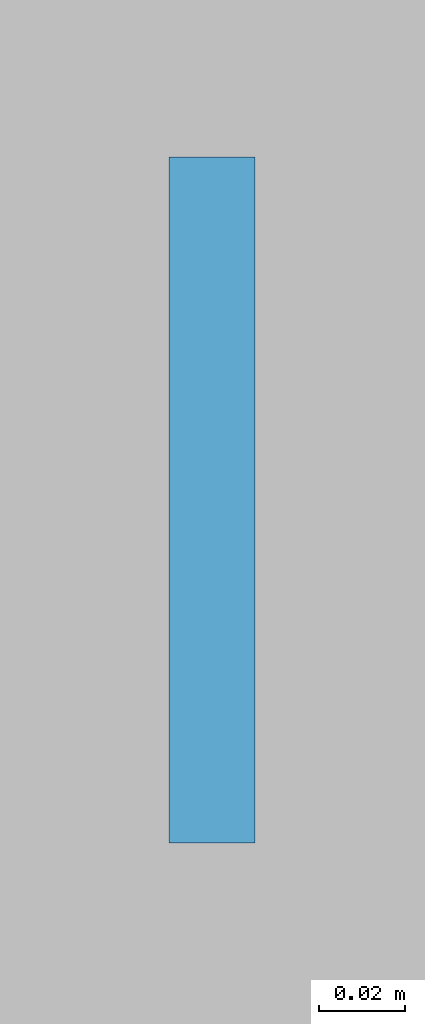
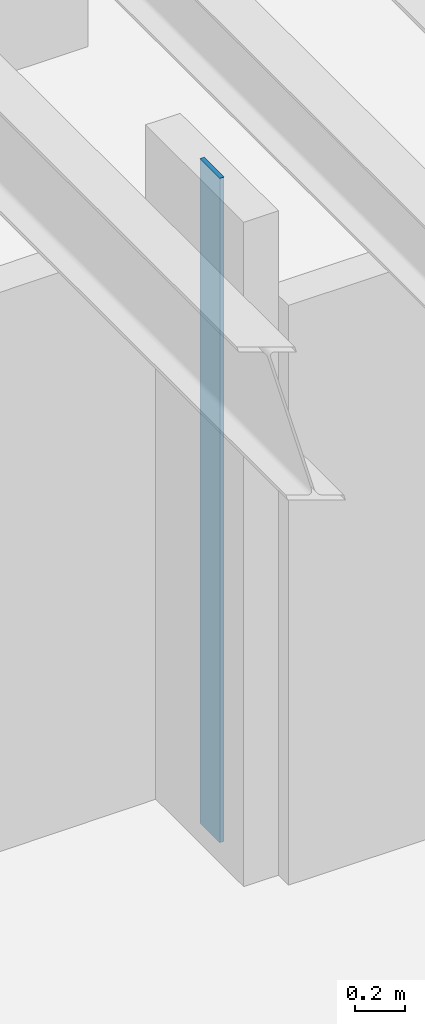
# One storey, part 2 of 12: 1 plate.
"""IFC4 building model written with IfcOpenShell, lengths in metres."""

from ifc_helpers import new_model, si_unit, direction, frame, origin, origin_2d, place, context, subcontext, project, spatial, rectangle, extrude, material, layer, layer_set, type_object, element, save


model = new_model("IFC4")

# Units and contexts
model_context = context("Model", 3, precision=1e-05, world=origin(), true_north=direction((0.0, 1.0)))
body_context = subcontext(model_context, "Body", "Model", "MODEL_VIEW")
ifc_project = project(units=[si_unit("LENGTHUNIT", "METRE"), si_unit("AREAUNIT", "SQUARE_METRE"), si_unit("VOLUMEUNIT", "CUBIC_METRE"), si_unit("PLANEANGLEUNIT", "RADIAN"), si_unit("MASSUNIT", "GRAM", prefix="KILO")], contexts=[model_context])

# Site, building, storey
site_placement = place(None, origin())
site = spatial("IfcSite", under=ifc_project, at=site_placement, CompositionType="ELEMENT")
building_placement = place(site_placement, origin())
building = spatial("IfcBuilding", under=site, at=building_placement, Name="Miruveldt Soraemaru", CompositionType="ELEMENT")
storey_placement = place(building_placement, frame((0.0, 0.0, 107.39990234375)))
storey = spatial("IfcBuildingStorey", under=building, at=storey_placement, Name="L29", CompositionType="ELEMENT", Elevation=107.39990234375)

# Plate
ifc_material = material(Name="Anodised aluminium EN AW-6063 T6", Category="aluminium")
ifc_layer = layer(ifc_material, 0.02001953125, Name="Anodised aluminium EN AW-6063 T6", Category="aluminium")
ifc_layer_set = layer_set([ifc_layer], Name="Anodised aluminium EN AW-6063 T6")
plate_type = type_object("IfcPlateType", Name="PLT-PART-TRIM", PredefinedType="SHEET", material=ifc_layer_set)
plate_placement = place(storey_placement, frame((29.697021484375, 45.021484375, 0.0), z_axis=(0.0, 0.0, 1.0), x_axis=(0.0, -1.0, 0.0)))
element("IfcPlate", 1, at=plate_placement, inside=storey, type_object=plate_type, Name="L29 Partition Step Corner Trim Plate 042", PredefinedType="SHEET", context=body_context, shape_type="SweptSolid", body=[
    extrude(rectangle(XDim=0.159912109375, YDim=0.02001953125, at=origin_2d()), origin(), (0.0, 0.0, 1.0), 3.235107421875),
])

save(model, "model.ifc")
